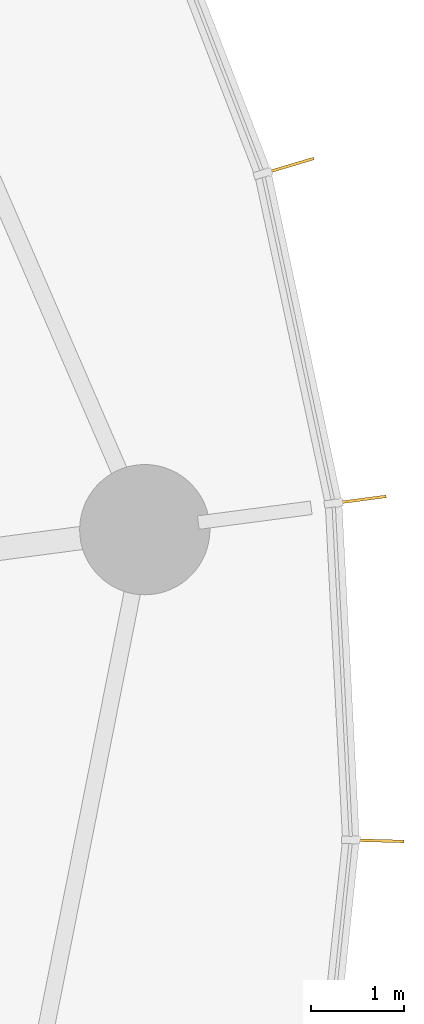
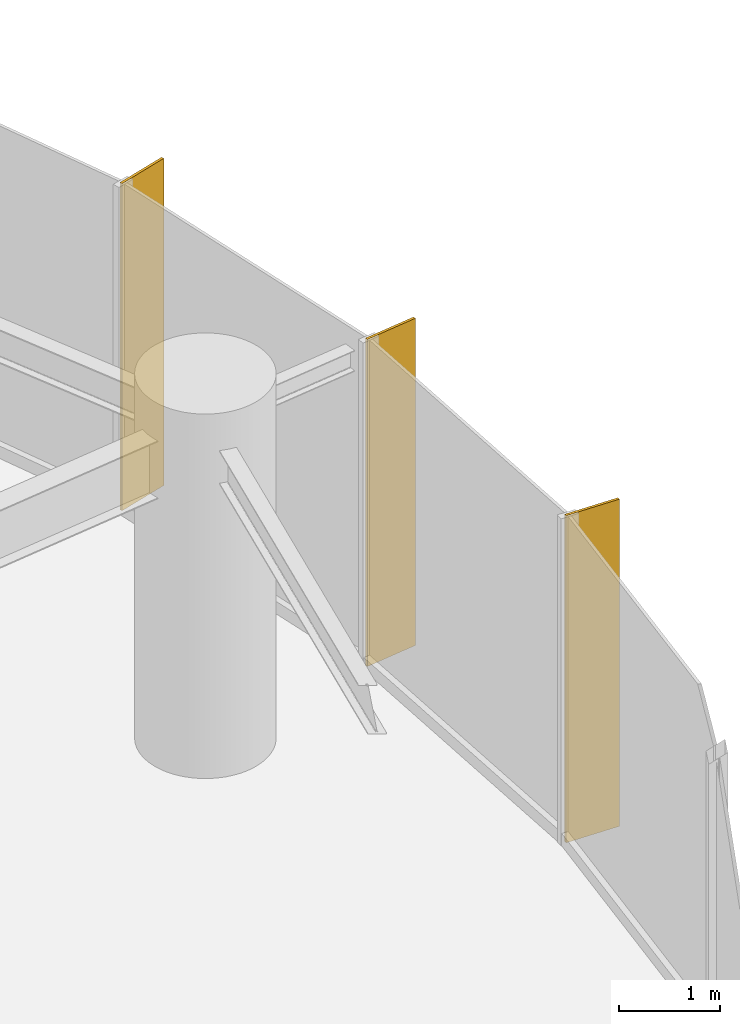
# One storey, part 18 of 18: 3 shading devices.
"""IFC4 building model written with IfcOpenShell, lengths in metres."""

from ifc_helpers import new_model, si_unit, direction, frame, origin, origin_2d, place, context, subcontext, project, spatial, rectangle, extrude, source, transform, mapped, material, material_profile, profile_set, type_object, element, save


model = new_model("IFC4")

# Units and contexts
model_context = context("Model", 3, precision=1e-05, world=origin(), true_north=direction((0.0, 1.0)))
body_context = subcontext(model_context, "Body", "Model", "MODEL_VIEW")
ifc_project = project(units=[si_unit("LENGTHUNIT", "METRE"), si_unit("AREAUNIT", "SQUARE_METRE"), si_unit("VOLUMEUNIT", "CUBIC_METRE"), si_unit("PLANEANGLEUNIT", "RADIAN"), si_unit("MASSUNIT", "GRAM", prefix="KILO")], contexts=[model_context])

# Site, building, storey
site_placement = place(None, origin())
site = spatial("IfcSite", under=ifc_project, at=site_placement, CompositionType="ELEMENT")
building_placement = place(site_placement, origin())
building = spatial("IfcBuilding", under=site, at=building_placement, Name="Spindrift Exchange Tower", CompositionType="ELEMENT")
storey_placement = place(building_placement, frame((0.0, 0.0, 40.199951171875)))
storey = spatial("IfcBuildingStorey", under=building, at=storey_placement, Name="L09", CompositionType="ELEMENT", Elevation=40.199951171875)

# Shading devices
ifc_material = material(Name="Bronze anodised aluminium", Category="aluminium")
ifc_material_profile = material_profile(ifc_material, rectangle(XDim=0.030029296875, YDim=0.60009765625, at=origin_2d()), Name="WIND FIN 30X600")
ifc_profile_set = profile_set([ifc_material_profile], Name="Bronze anodised aluminium")
shading_device_type = type_object("IfcShadingDeviceType", Name="WIND FIN 30X600", PredefinedType="USERDEFINED", material=ifc_profile_set)
shared_shape = source(origin(), body_context, "Body", "SweptSolid", [
    extrude(rectangle(XDim=0.030029296875, YDim=0.60009765625, at=origin_2d()), origin(), (0.0, 0.0, 1.0), 3.949951171875),
])
for number, where, z_axis, x_axis, name in (
    (1, (90.28759765625, 53.056884765625, 0.0), (0.0, 0.0, 1.0), (-0.130946667114, 0.991389414091, 0.0), "L09 wind fin 2"),
    (2, (89.519287109375, 56.642578125, 0.0), (0.0, 0.0, 1.0), (-0.285567938783, 0.958358467557, 0.0), "L09 wind fin 3"),
    (3, (90.4765625, 49.394775390625, 0.0), (0.0, 0.0, 1.0), (0.026955090401, 0.999636645538, 0.0), "L09 wind fin 4"),
):
    element("IfcShadingDevice", number, at=place(storey_placement, frame(where, z_axis=z_axis, x_axis=x_axis)), inside=storey, type_object=shading_device_type, Name=name, ObjectType="FIN", PredefinedType="USERDEFINED", context=body_context, shape_type="MappedRepresentation", body=[
        mapped(shared_shape, transform((0.0, 0.0, 0.0), scale=1.0)),
    ])

save(model, "model.ifc")
